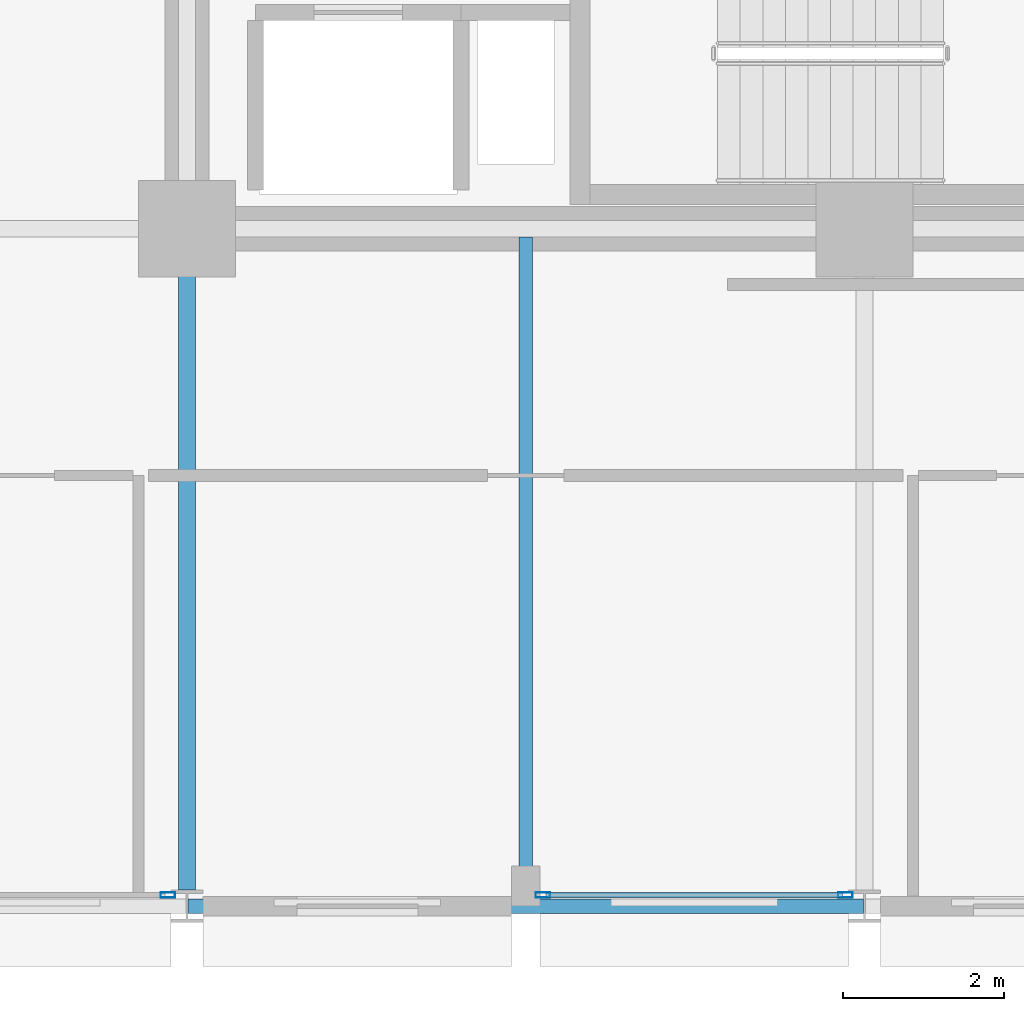
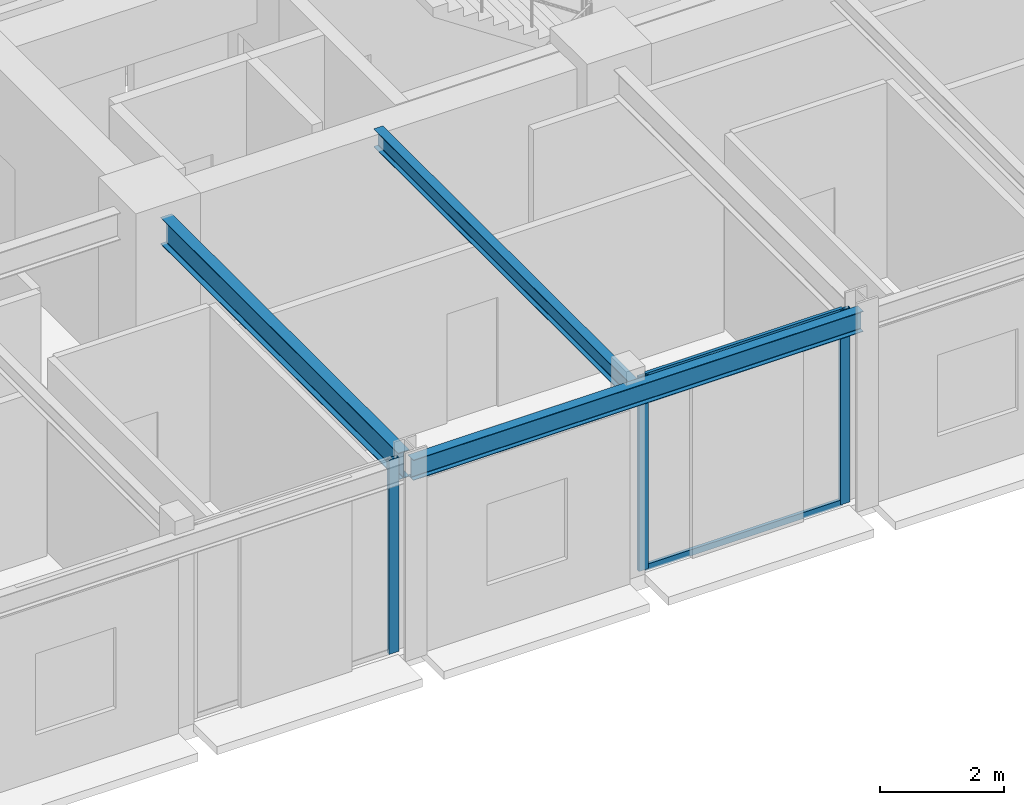
# One storey, part 8 of 39: 5 members, 3 beams, 2 elements without a shape of their own.
"""IFC4 building model written with IfcOpenShell, lengths in metres."""

from ifc_helpers import new_model, si_unit, direction, frame, origin, origin_2d, place, context, subcontext, project, spatial, hollow_rectangle, i_section, extrude, material, layer, layer_set, material_profile, profile_set, type_object, element, aggregate, save


model = new_model("IFC4")

# Units and contexts
model_context = context("Model", 3, precision=1e-05, world=origin(), true_north=direction((0.0, 1.0)))
body_context = subcontext(model_context, "Body", "Model", "MODEL_VIEW")
ifc_project = project(units=[si_unit("LENGTHUNIT", "METRE"), si_unit("AREAUNIT", "SQUARE_METRE"), si_unit("VOLUMEUNIT", "CUBIC_METRE"), si_unit("PLANEANGLEUNIT", "RADIAN"), si_unit("MASSUNIT", "GRAM", prefix="KILO")], contexts=[model_context])

# Site, building, storey
site_placement = place(None, origin())
site = spatial("IfcSite", under=ifc_project, at=site_placement, CompositionType="ELEMENT")
building_placement = place(site_placement, origin())
building = spatial("IfcBuilding", under=site, at=building_placement, Name="Nerrivon Quay Data Exchange", CompositionType="ELEMENT")
storey_placement = place(building_placement, frame((0.0, 0.0, 92.60009765625)))
storey = spatial("IfcBuildingStorey", under=building, at=storey_placement, Name="L21", CompositionType="ELEMENT", Elevation=92.60009765625)

# Beams
ifc_material_1 = material(Name="Steel Grade 350", Category="steel")
ifc_material_profile_1 = material_profile(ifc_material_1, i_section(OverallWidth=0.208984375, OverallDepth=0.528076171875, WebThickness=0.009521484375, FlangeThickness=0.01318359375, FilletRadius=0.013916015625, at=origin_2d()), Name="530UB82.0")
ifc_profile_set_1 = profile_set([ifc_material_profile_1], Name="Steel Grade 350")
beam_type_1 = type_object("IfcBeamType", Name="BM-G4-530UB82", PredefinedType="BEAM", material=ifc_profile_set_1)
beam_1_placement = place(storey_placement, frame((16.800048828125, 0.199951171875, 3.560791015625), z_axis=(0.0, 1.0, 0.0), x_axis=(-1.0, 0.0, 0.0)))
element("IfcBeam", 1, at=beam_1_placement, inside=storey, type_object=beam_type_1, Name="L21 NS Girder X=16.8 (0.0..8.4)", PredefinedType="BEAM", context=body_context, shape_type="SweptSolid", body=[
    extrude(i_section(OverallWidth=0.208984375, OverallDepth=0.528076171875, WebThickness=0.009521484375, FlangeThickness=0.01318359375, FilletRadius=0.013916015625, at=origin_2d()), origin(), (0.0, 0.0, 1.0), 7.66015625),
])
ifc_material_profile_2 = material_profile(ifc_material_1, i_section(OverallWidth=0.1708984375, OverallDepth=0.35595703125, WebThickness=0.00732421875, FlangeThickness=0.011474609375, FilletRadius=0.011474609375, at=origin_2d()), Name="360UB50.7")
ifc_profile_set_2 = profile_set([ifc_material_profile_2], Name="Steel Grade 350")
beam_type_2 = type_object("IfcBeamType", Name="BM-J4-360UB51", PredefinedType="JOIST", material=ifc_profile_set_2)
beam_2_placement = place(storey_placement, frame((21.0, 0.089111328125, 3.64697265625), z_axis=(0.0, 1.0, 0.0), x_axis=(-1.0, 0.0, 0.0)))
element("IfcBeam", 2, at=beam_2_placement, inside=storey, type_object=beam_type_2, Name="L21 Secondary Joist X=21.0 (0.0..8.4)", PredefinedType="JOIST", context=body_context, shape_type="SweptSolid", body=[
    extrude(i_section(OverallWidth=0.1708984375, OverallDepth=0.35595703125, WebThickness=0.00732421875, FlangeThickness=0.011474609375, FilletRadius=0.011474609375, at=origin_2d()), origin(), (0.0, 0.0, 1.0), 8.206298828125),
])
ifc_material_profile_3 = material_profile(ifc_material_1, i_section(OverallWidth=0.177978515625, OverallDepth=0.403076171875, WebThickness=0.007568359375, FlangeThickness=0.010986328125, FilletRadius=0.011474609375, at=origin_2d()), Name="410UB53.7")
ifc_profile_set_3 = profile_set([ifc_material_profile_3], Name="Steel Grade 350")
beam_type_3 = type_object("IfcBeamType", Name="BM-SP2-410UB54", PredefinedType="SPANDREL", material=ifc_profile_set_3)
beam_3_placement = place(storey_placement, frame((16.8125, 0.0, 3.623291015625), z_axis=(1.0, 0.0, 0.0), x_axis=(0.0, 1.0, 0.0)))
element("IfcBeam", 3, at=beam_3_placement, inside=storey, type_object=beam_type_3, Name="L21 EW Girder Y=0.0 (16.8..25.2)", PredefinedType="SPANDREL", context=body_context, shape_type="SweptSolid", body=[
    extrude(i_section(OverallWidth=0.177978515625, OverallDepth=0.403076171875, WebThickness=0.007568359375, FlangeThickness=0.010986328125, FilletRadius=0.011474609375, at=origin_2d()), origin(), (0.0, 0.0, 1.0), 8.375),
])

# Curtain wall, members
ifc_material_2 = material(Name="Anodised aluminium 6063-T6", Category="aluminium")
ifc_layer = layer(ifc_material_2, 0.2099609375)
ifc_layer_set = layer_set([ifc_layer], Name="Anodised aluminium 6063-T6")
curtain_wall_type = type_object("IfcCurtainWallType", Name="CW-SYS-02", PredefinedType="NOTDEFINED", material=ifc_layer_set)
curtain_wall_1_placement = place(storey_placement, origin())
curtain_wall_1 = element("IfcCurtainWall", 4, at=curtain_wall_1_placement, inside=storey, type_object=curtain_wall_type, Name="L21 Unitised Curtain Wall 10", PredefinedType="NOTDEFINED")
ifc_material_profile_4 = material_profile(ifc_material_2, hollow_rectangle(XDim=0.06494140625, YDim=0.179931640625, WallThickness=0.00341796875, at=origin_2d()), Name="ALU-MULL-180x65")
ifc_profile_set_4 = profile_set([ifc_material_profile_4], Name="Anodised aluminium 6063-T6")
member_type_1 = type_object("IfcMemberType", Name="CWM-180x65", PredefinedType="MULLION", material=ifc_profile_set_4)
member_1_placement = place(storey_placement, frame((24.96240234375, 0.139892578125, 0.0), z_axis=(0.0, 0.0, 1.0), x_axis=(0.0, -1.0, 0.0)))
member_1 = element("IfcMember", 5, at=member_1_placement, type_object=member_type_1, Name="CW02 mullion 1", PredefinedType="MULLION", context=body_context, shape_type="SweptSolid", body=[
    extrude(hollow_rectangle(XDim=0.06494140625, YDim=0.179931640625, WallThickness=0.00341796875, at=origin_2d()), origin(), (0.0, 0.0, 1.0), 3.824951171875),
])
member_2_placement = place(storey_placement, frame((21.21240234375, 0.139892578125, 0.0), z_axis=(0.0, 0.0, 1.0), x_axis=(0.0, -1.0, 0.0)))
member_2 = element("IfcMember", 6, at=member_2_placement, type_object=member_type_1, Name="CW02 mullion 2", PredefinedType="MULLION", context=body_context, shape_type="SweptSolid", body=[
    extrude(hollow_rectangle(XDim=0.06494140625, YDim=0.179931640625, WallThickness=0.00341796875, at=origin_2d()), origin(), (0.0, 0.0, 1.0), 3.824951171875),
])

# Curtain wall, member
curtain_wall_2_placement = place(storey_placement, origin())
curtain_wall_2 = element("IfcCurtainWall", 7, at=curtain_wall_2_placement, inside=storey, type_object=curtain_wall_type, Name="L21 Unitised Curtain Wall 12", PredefinedType="NOTDEFINED")
member_3_placement = place(storey_placement, frame((16.5625, 0.139892578125, 0.0), z_axis=(0.0, 0.0, 1.0), x_axis=(0.0, -1.0, 0.0)))
member_3 = element("IfcMember", 8, at=member_3_placement, type_object=member_type_1, Name="CW02 mullion 1", PredefinedType="MULLION", context=body_context, shape_type="SweptSolid", body=[
    extrude(hollow_rectangle(XDim=0.06494140625, YDim=0.179931640625, WallThickness=0.00341796875, at=origin_2d()), origin(), (0.0, 0.0, 1.0), 3.824951171875),
])
aggregate(curtain_wall_2, [member_3])

# Member
ifc_material_profile_5 = material_profile(ifc_material_2, hollow_rectangle(XDim=0.06005859375, YDim=0.1201171875, WallThickness=0.003173828125, at=origin_2d()), Name="ALU-TRAN-120x60")
ifc_profile_set_5 = profile_set([ifc_material_profile_5], Name="Anodised aluminium 6063-T6")
member_type_2 = type_object("IfcMemberType", Name="CWT-120x60", PredefinedType="USERDEFINED", material=ifc_profile_set_5)
member_4_placement = place(storey_placement, frame((24.925048828125, 0.139892578125, 0.032470703125), z_axis=(-1.0, 0.0, 0.0), x_axis=(0.0, -1.0, 0.0)))
member_4 = element("IfcMember", 9, at=member_4_placement, type_object=member_type_2, Name="CW02 transom 1.1", ObjectType="TRANSOM", PredefinedType="USERDEFINED", context=body_context, shape_type="SweptSolid", body=[
    extrude(hollow_rectangle(XDim=0.06005859375, YDim=0.1201171875, WallThickness=0.003173828125, at=origin_2d()), origin(), (0.0, 0.0, 1.0), 3.675048828125),
])

member_5_placement = place(storey_placement, frame((24.925048828125, 0.139892578125, 3.79248046875), z_axis=(-1.0, 0.0, 0.0), x_axis=(0.0, -1.0, 0.0)))
member_5 = element("IfcMember", 10, at=member_5_placement, type_object=member_type_2, Name="CW02 transom 1.2", ObjectType="TRANSOM", PredefinedType="USERDEFINED", context=body_context, shape_type="SweptSolid", body=[
    extrude(hollow_rectangle(XDim=0.06005859375, YDim=0.1201171875, WallThickness=0.003173828125, at=origin_2d()), origin(), (0.0, 0.0, 1.0), 3.675048828125),
])

aggregate(curtain_wall_1, [member_1, member_2, member_4, member_5])

save(model, "model.ifc")
